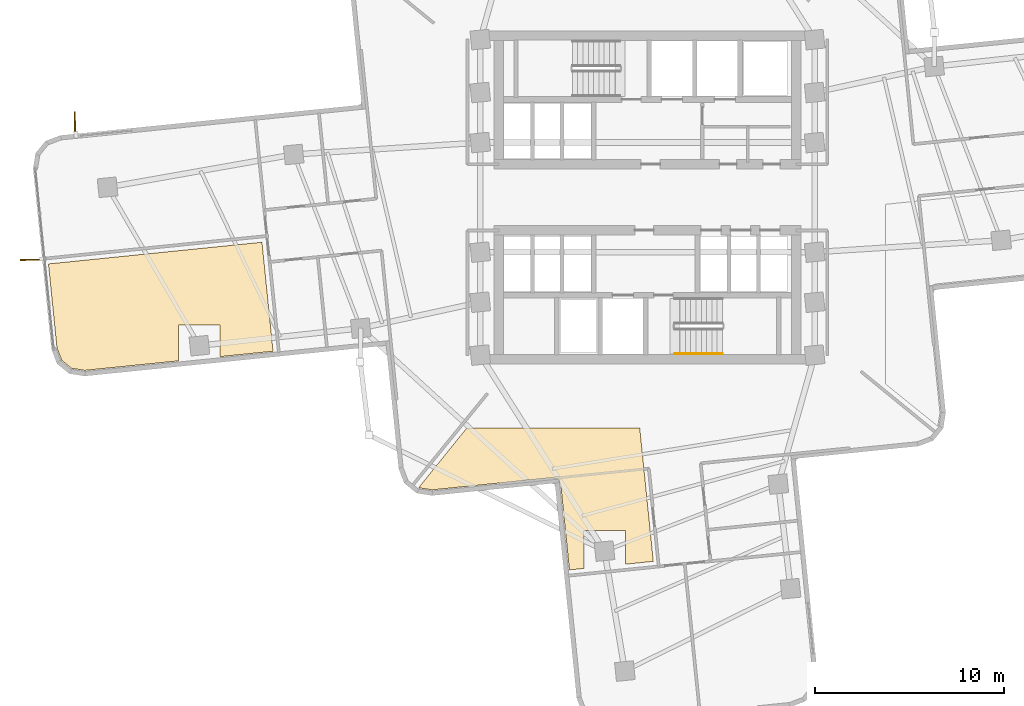
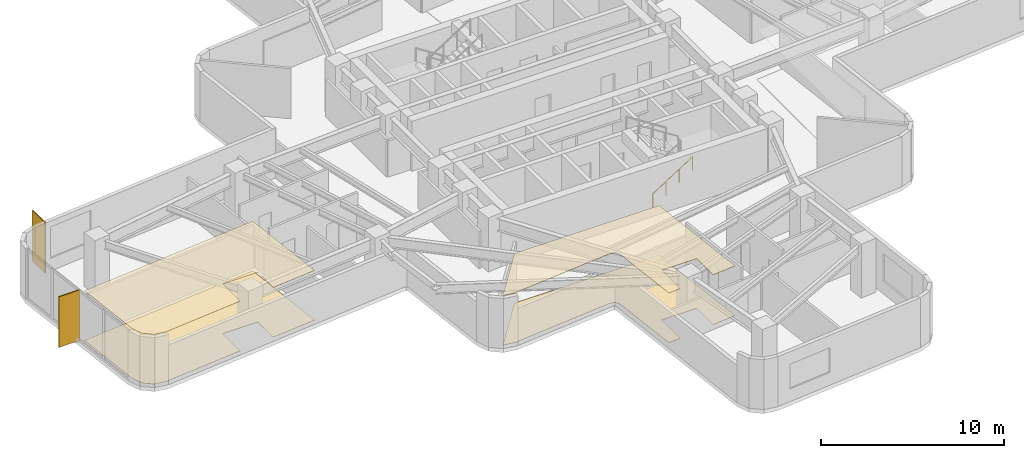
# One storey, part 10 of 12: 4 coverings, 2 shading devices, 1 railing.
"""IFC4 building model written with IfcOpenShell, lengths in metres."""

from ifc_helpers import new_model, si_unit, direction, frame, origin, origin_2d, place, context, subcontext, project, spatial, polyline, rectangle, circle, outline, extrude, material, layer, layer_set, type_object, element, save


model = new_model("IFC4")

# Units and contexts
model_context = context("Model", 3, precision=1e-05, world=origin(), true_north=direction((0.0, 1.0)))
body_context = subcontext(model_context, "Body", "Model", "MODEL_VIEW")
ifc_project = project(units=[si_unit("LENGTHUNIT", "METRE"), si_unit("AREAUNIT", "SQUARE_METRE"), si_unit("VOLUMEUNIT", "CUBIC_METRE"), si_unit("PLANEANGLEUNIT", "RADIAN"), si_unit("MASSUNIT", "GRAM", prefix="KILO")], contexts=[model_context])

# Site, building, storey
site_placement = place(None, origin())
site = spatial("IfcSite", under=ifc_project, at=site_placement, CompositionType="ELEMENT")
building_placement = place(site_placement, origin())
building = spatial("IfcBuilding", under=site, at=building_placement, Name="Solmarez Civic Tower", CompositionType="ELEMENT")
storey_placement = place(building_placement, frame((0.0, 0.0, 74.8798828125)))
storey = spatial("IfcBuildingStorey", under=building, at=storey_placement, Name="L19", CompositionType="ELEMENT", Elevation=74.8798828125)

# Coverings
ifc_material_1 = material(Name="Perforated Mineral-Fibre Acoustic Ceiling")
ifc_layer_1 = layer(ifc_material_1, 0.02490234375)
ifc_layer_set_1 = layer_set([ifc_layer_1], Name="Perforated Mineral-Fibre Acoustic Ceiling")
covering_type_1 = type_object("IfcCoveringType", Name="COV-CEIL-ACOUSTIC", PredefinedType="CEILING", material=ifc_layer_set_1)
covering_1_placement = place(storey_placement, frame((0.0, 0.0, 3.315185546875)))
element("IfcCovering", 1, at=covering_1_placement, inside=storey, type_object=covering_type_1, Name="L19 Suspended Acoustic Ceiling 4", PredefinedType="CEILING", context=body_context, shape_type="SweptSolid", body=[
    extrude(outline(polyline([(-0.408935546875, -12.199951171875), (-9.556884765625, -12.199951171875), (-12.10888671875, -15.364013671875), (-12.10302734375, -15.367919921875), (-11.404052734375, -15.48193359375), (-5.136962890625, -14.844970703125), (-5.114990234375, -14.843994140625), (-5.10107421875, -14.843994140625), (-5.070068359375, -14.845947265625), (-5.05908203125, -14.847900390625), (-4.888916015625, -14.875), (-4.87109375, -14.87890625), (-4.863037109375, -14.881103515625), (-4.85595703125, -14.882080078125), (-4.84912109375, -14.884033203125), (-4.822021484375, -14.89404296875), (-4.81494140625, -14.89697265625), (-4.80810546875, -14.89990234375), (-4.7890625, -14.908935546875), (-4.77099609375, -14.919921875), (-4.75390625, -14.93310546875), (-4.748046875, -14.93798828125), (-4.741943359375, -14.943115234375), (-4.72705078125, -14.9560546875), (-4.721923828125, -14.9609375), (-4.708984375, -14.97607421875), (-4.7041015625, -14.98193359375), (-4.68994140625, -15.0009765625), (-4.68603515625, -15.007080078125), (-4.677978515625, -15.02001953125), (-4.674072265625, -15.027099609375), (-4.6630859375, -15.049072265625), (-4.659912109375, -15.055908203125), (-4.656005859375, -15.06494140625), (-4.594970703125, -15.22509765625), (-4.589111328125, -15.242919921875), (-4.5869140625, -15.25), (-4.5849609375, -15.257080078125), (-4.5791015625, -15.285888671875), (-4.577880859375, -15.29296875), (-4.576904296875, -15.302001953125), (-4.1279296875, -19.718017578125), (-3.37109375, -19.64111328125), (-3.37109375, -17.6240234375), (-1.1708984375, -17.6240234375), (-1.1708984375, -19.41796875), (0.30908203125, -19.26708984375), (-0.408935546875, -12.199951171875)])), origin(), (0.0, 0.0, 1.0), 0.02490234375),
])
covering_2_placement = place(storey_placement, frame((0.0, 0.0, 3.315185546875)))
element("IfcCovering", 2, at=covering_2_placement, inside=storey, type_object=covering_type_1, Name="L19 Suspended Acoustic Ceiling 5", PredefinedType="CEILING", context=body_context, shape_type="SweptSolid", body=[
    extrude(outline(polyline([(-31.7060546875, -3.52294921875), (-31.256103515625, -7.9599609375), (-31.00390625, -8.6220703125), (-30.487060546875, -9.0439453125), (-29.787109375, -9.156982421875), (-24.81494140625, -8.652099609375), (-24.81494140625, -6.7509765625), (-22.614990234375, -6.7509765625), (-22.614990234375, -8.428955078125), (-19.818115234375, -8.14404296875), (-20.405029296875, -2.3740234375), (-31.7060546875, -3.52294921875)])), origin(), (0.0, 0.0, 1.0), 0.02490234375),
])
ifc_material_2 = material(Name="Polished Tropical Stone Terrazzo Flooring", Category="masonry")
ifc_layer_2 = layer(ifc_material_2, 0.02001953125)
ifc_layer_set_2 = layer_set([ifc_layer_2], Name="Polished Tropical Stone Terrazzo Flooring")
covering_type_2 = type_object("IfcCoveringType", Name="COV-FLOOR-TERRAZZO", PredefinedType="FLOORING", material=ifc_layer_set_2)
covering_3_placement = place(storey_placement, origin())
element("IfcCovering", 3, at=covering_3_placement, inside=storey, type_object=covering_type_2, Name="L19 Terrazzo Floor Finish 4", PredefinedType="FLOORING", context=body_context, shape_type="SweptSolid", body=[
    extrude(outline(polyline([(-0.408935546875, -12.199951171875), (-9.556884765625, -12.199951171875), (-12.10888671875, -15.364013671875), (-12.10302734375, -15.367919921875), (-11.404052734375, -15.48193359375), (-5.136962890625, -14.844970703125), (-5.114990234375, -14.843994140625), (-5.10107421875, -14.843994140625), (-5.070068359375, -14.845947265625), (-5.05908203125, -14.847900390625), (-4.888916015625, -14.875), (-4.87109375, -14.87890625), (-4.863037109375, -14.881103515625), (-4.85595703125, -14.882080078125), (-4.84912109375, -14.884033203125), (-4.822021484375, -14.89404296875), (-4.81494140625, -14.89697265625), (-4.80810546875, -14.89990234375), (-4.7890625, -14.908935546875), (-4.77099609375, -14.919921875), (-4.75390625, -14.93310546875), (-4.748046875, -14.93798828125), (-4.741943359375, -14.943115234375), (-4.72705078125, -14.9560546875), (-4.721923828125, -14.9609375), (-4.708984375, -14.97607421875), (-4.7041015625, -14.98193359375), (-4.68994140625, -15.0009765625), (-4.68603515625, -15.007080078125), (-4.677978515625, -15.02001953125), (-4.674072265625, -15.027099609375), (-4.6630859375, -15.049072265625), (-4.659912109375, -15.055908203125), (-4.656005859375, -15.06494140625), (-4.594970703125, -15.22509765625), (-4.589111328125, -15.242919921875), (-4.5869140625, -15.25), (-4.5849609375, -15.257080078125), (-4.5791015625, -15.285888671875), (-4.577880859375, -15.29296875), (-4.576904296875, -15.302001953125), (-4.1279296875, -19.718017578125), (-3.37109375, -19.64111328125), (-3.37109375, -17.6240234375), (-1.1708984375, -17.6240234375), (-1.1708984375, -19.41796875), (0.30908203125, -19.26708984375), (-0.408935546875, -12.199951171875)])), origin(), (0.0, 0.0, 1.0), 0.02001953125),
])
covering_4_placement = place(storey_placement, origin())
element("IfcCovering", 4, at=covering_4_placement, inside=storey, type_object=covering_type_2, Name="L19 Terrazzo Floor Finish 5", PredefinedType="FLOORING", context=body_context, shape_type="SweptSolid", body=[
    extrude(outline(polyline([(-31.7060546875, -3.52294921875), (-31.256103515625, -7.9599609375), (-31.00390625, -8.6220703125), (-30.487060546875, -9.0439453125), (-29.787109375, -9.156982421875), (-24.81494140625, -8.652099609375), (-24.81494140625, -6.7509765625), (-22.614990234375, -6.7509765625), (-22.614990234375, -8.428955078125), (-19.818115234375, -8.14404296875), (-20.405029296875, -2.3740234375), (-31.7060546875, -3.52294921875)])), origin(), (0.0, 0.0, 1.0), 0.02001953125),
])

# Shading devices
ifc_material_3 = material(Name="Bronze Anodised Aluminium EN AW-6063 T6", Category="aluminium")
ifc_layer_3 = layer(ifc_material_3, 0.06494140625)
ifc_layer_set_3 = layer_set([ifc_layer_3], Name="Bronze Anodised Aluminium EN AW-6063 T6")
shading_device_type = type_object("IfcShadingDeviceType", Name="FIN-BRONZE-Z12", PredefinedType="USERDEFINED", material=ifc_layer_set_3)
for number, where, z_axis, x_axis, name in (
    (5, (-32.537109375, -3.304931640625, -0.039794921875), (0.0, 0.0, 1.0), (-0.999926854786, -0.012094836815, 0.0), "L19 Anodised Bronze Solar Fin FIN-L19-01"),
    (6, (-30.304931640625, 3.862060546875, -0.039794921875), (0.0, 0.0, 1.0), (-0.012147192846, 0.999926220131, 0.0), "L19 Anodised Bronze Solar Fin FIN-L19-02"),
):
    element("IfcShadingDevice", number, at=place(storey_placement, frame(where, z_axis=z_axis, x_axis=x_axis)), inside=storey, type_object=shading_device_type, Name=name, ObjectType="FIN", PredefinedType="USERDEFINED", context=body_context, shape_type="SweptSolid", body=[
        extrude(rectangle(XDim=1.35009765625, YDim=0.06494140625, at=origin_2d()), origin(), (0.0, 0.0, 1.0), 3.3798828125),
    ])

# Railing
ifc_material_4 = material(Name="Brushed Stainless Steel Tube Handrail", Category="steel")
railing_type = type_object("IfcRailingType", Name="HANDRAIL-STAIR-900", PredefinedType="HANDRAIL", material=ifc_material_4)
railing_placement = place(storey_placement, frame((1.449951171875, -8.27001953125, 0.18017578125)))
element("IfcRailing", 7, at=railing_placement, inside=storey, type_object=railing_type, Name="L19 ST-2 stair handrail 1", PredefinedType="HANDRAIL", context=body_context, shape_type="SweptSolid", body=[
    extrude(circle(Radius=0.02392578125, at=origin_2d()), frame((0.0, 0.0, 0.8759765625), z_axis=(0.841199657755, 0.0, 0.540724639528), x_axis=(0.0, 1.0, 0.0)), (0.0, 0.0, 1.0), 2.995849609375),
    extrude(circle(Radius=0.02099609375, at=origin_2d()), origin(), (0.0, 0.0, 1.0), 0.851806640625),
    extrude(circle(Radius=0.02099609375, at=origin_2d()), frame((0.840087890625, 0.0, 0.5400390625)), (0.0, 0.0, 1.0), 0.851806640625),
    extrude(circle(Radius=0.02099609375, at=origin_2d()), frame((1.679931640625, 0.0, 1.079833984375)), (0.0, 0.0, 1.0), 0.851806640625),
    extrude(circle(Radius=0.02099609375, at=origin_2d()), frame((2.52001953125, 0.0, 1.619873046875)), (0.0, 0.0, 1.0), 0.851806640625),
])

save(model, "model.ifc")
